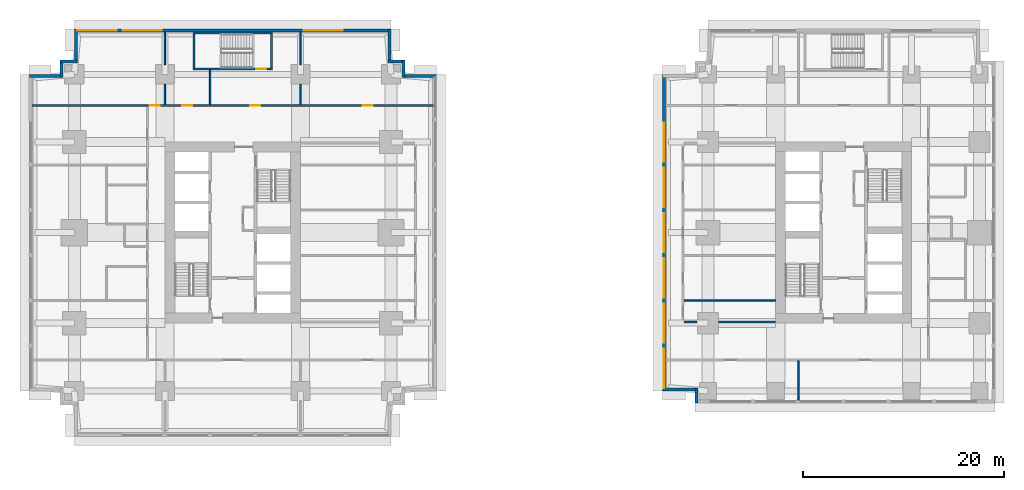
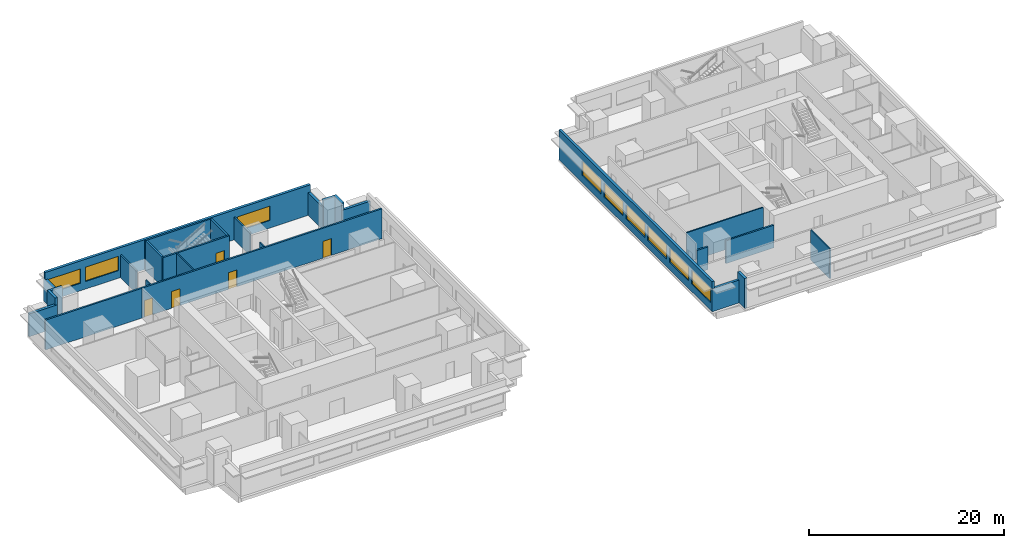
# One storey, part 5 of 11: 27 walls, 9 windows, 5 doors, 14 openings.
"""IFC4 building model written with IfcOpenShell, lengths in metres."""

from ifc_helpers import new_model, si_unit, direction, frame, frame_2d, origin, place, context, subcontext, project, spatial, rectangle, extrude, material, layer, layer_set, type_object, element, fill, save


model = new_model("IFC4")

# Units and contexts
model_context = context("Model", 3, precision=1e-05, world=origin(), true_north=direction((0.0, 1.0)))
body_context = subcontext(model_context, "Body", "Model", "MODEL_VIEW")
ifc_project = project(units=[si_unit("LENGTHUNIT", "METRE"), si_unit("AREAUNIT", "SQUARE_METRE"), si_unit("VOLUMEUNIT", "CUBIC_METRE"), si_unit("PLANEANGLEUNIT", "RADIAN"), si_unit("MASSUNIT", "GRAM", prefix="KILO")], contexts=[model_context])

# Site, building, storey
site_placement = place(None, origin())
site = spatial("IfcSite", under=ifc_project, at=site_placement, CompositionType="ELEMENT")
building_placement = place(site_placement, origin())
building = spatial("IfcBuilding", under=site, at=building_placement, Name="Namib Vertical Campus", CompositionType="ELEMENT")
storey_placement = place(building_placement, frame((0.0, 0.0, 89.0)))
storey = spatial("IfcBuildingStorey", under=building, at=storey_placement, Name="L20", CompositionType="ELEMENT", Elevation=89.0)

# Wall, openings, doors
ifc_material_1 = material(Name="Concrete masonry", Category="masonry")
ifc_layer_1 = layer(ifc_material_1, 0.199951171875)
ifc_layer_set_1 = layer_set([ifc_layer_1], Name="Corridor wall 200")
wall_type_1 = type_object("IfcWallType", Name="Corridor wall 200", PredefinedType="SOLIDWALL", material=ifc_layer_set_1)
wall_1_placement = place(storey_placement, frame((40.199951171875, 32.89990234375, 0.0), z_axis=(0.0, 0.0, 1.0), x_axis=(-1.0, 0.0, 0.0)))
wall_1 = element("IfcWall", 1, at=wall_1_placement, inside=storey, type_object=wall_type_1, Name="Corridor wall A L20 CN", PredefinedType="SOLIDWALL", context=body_context, shape_type="SweptSolid", body=[
    extrude(rectangle(XDim=28.5, YDim=0.199951171875, at=frame_2d((14.25, 0.0))), origin(), (0.0, 0.0, 1.0), 3.75),
])
opening_1_placement = place(wall_1_placement, frame((27.199951171875, 0.0, 0.0)))
opening_1 = element("IfcOpeningElement", 2, at=opening_1_placement, cuts=wall_1, Name="Opening CD1", PredefinedType="OPENING", context=body_context, shape_type="SweptSolid", body=[
    extrude(rectangle(XDim=1.0, YDim=2.10009765625, at=frame_2d((0.5, 1.050048828125))), frame((0.0, 0.10986328125, 0.0), z_axis=(0.0, -1.0, 0.0), x_axis=(1.0, 0.0, 0.0)), (0.0, 0.0, 1.0), 0.219970703125),
])
opening_2_placement = place(wall_1_placement, frame((23.949951171875, 0.0, 0.0)))
opening_2 = element("IfcOpeningElement", 3, at=opening_2_placement, cuts=wall_1, Name="Opening CD1", PredefinedType="OPENING", context=body_context, shape_type="SweptSolid", body=[
    extrude(rectangle(XDim=1.0, YDim=2.10009765625, at=frame_2d((0.5, 1.050048828125))), frame((0.0, 0.10986328125, 0.0), z_axis=(0.0, -1.0, 0.0), x_axis=(1.0, 0.0, 0.0)), (0.0, 0.0, 1.0), 0.219970703125),
])
opening_3_placement = place(wall_1_placement, frame((17.199951171875, 0.0, 0.0)))
opening_3 = element("IfcOpeningElement", 4, at=opening_3_placement, cuts=wall_1, Name="Opening CD1", PredefinedType="OPENING", context=body_context, shape_type="SweptSolid", body=[
    extrude(rectangle(XDim=1.0, YDim=2.10009765625, at=frame_2d((0.5, 1.050048828125))), frame((0.0, 0.10986328125, 0.0), z_axis=(0.0, -1.0, 0.0), x_axis=(1.0, 0.0, 0.0)), (0.0, 0.0, 1.0), 0.219970703125),
])
opening_4_placement = place(wall_1_placement, frame((6.0, 0.0, 0.0)))
opening_4 = element("IfcOpeningElement", 5, at=opening_4_placement, cuts=wall_1, Name="Opening CD1", PredefinedType="OPENING", context=body_context, shape_type="SweptSolid", body=[
    extrude(rectangle(XDim=1.0, YDim=2.10009765625, at=frame_2d((0.5, 1.050048828125))), frame((0.0, 0.10986328125, 0.0), z_axis=(0.0, -1.0, 0.0), x_axis=(1.0, 0.0, 0.0)), (0.0, 0.0, 1.0), 0.219970703125),
])
ifc_material_2 = material(Name="Timber fire door leaf", Category="wood")
door_type_1 = type_object("IfcDoorType", Name="Corridor door 1000x2100 20 min", OperationType="SINGLE_SWING_LEFT", PredefinedType="DOOR", material=ifc_material_2)
door_1_placement = place(opening_1_placement, frame((1.0, 0.0, 0.0), z_axis=(0.0, 0.0, 1.0), x_axis=(-1.0, 0.0, 0.0)))
door_1 = element("IfcDoor", 6, at=door_1_placement, inside=storey, type_object=door_type_1, Name="Door CD1 A20-09", OperationType="SINGLE_SWING_RIGHT", OverallHeight=2.10009765625, OverallWidth=1.0, PredefinedType="DOOR", context=body_context, shape_type="SweptSolid", body=[
    extrude(rectangle(XDim=1.0, YDim=2.10009765625, at=frame_2d((0.5, 1.050048828125))), frame((0.0, 0.02490234375, 0.0), z_axis=(0.0, -1.0, 0.0), x_axis=(1.0, 0.0, 0.0)), (0.0, 0.0, 1.0), 0.050048828125),
])
fill(opening_1, door_1)
door_2_placement = place(opening_2_placement, frame((1.0, 0.0, 0.0), z_axis=(0.0, 0.0, 1.0), x_axis=(-1.0, 0.0, 0.0)))
door_2 = element("IfcDoor", 7, at=door_2_placement, inside=storey, type_object=door_type_1, Name="Door CD1 A20-10", OperationType="SINGLE_SWING_RIGHT", OverallHeight=2.10009765625, OverallWidth=1.0, PredefinedType="DOOR", context=body_context, shape_type="SweptSolid", body=[
    extrude(rectangle(XDim=1.0, YDim=2.10009765625, at=frame_2d((0.5, 1.050048828125))), frame((0.0, 0.02490234375, 0.0), z_axis=(0.0, -1.0, 0.0), x_axis=(1.0, 0.0, 0.0)), (0.0, 0.0, 1.0), 0.050048828125),
])
fill(opening_2, door_2)
door_3_placement = place(opening_3_placement, frame((1.0, 0.0, 0.0), z_axis=(0.0, 0.0, 1.0), x_axis=(-1.0, 0.0, 0.0)))
door_3 = element("IfcDoor", 8, at=door_3_placement, inside=storey, type_object=door_type_1, Name="Door CD1 A20-11", OperationType="SINGLE_SWING_RIGHT", OverallHeight=2.10009765625, OverallWidth=1.0, PredefinedType="DOOR", context=body_context, shape_type="SweptSolid", body=[
    extrude(rectangle(XDim=1.0, YDim=2.10009765625, at=frame_2d((0.5, 1.050048828125))), frame((0.0, 0.02490234375, 0.0), z_axis=(0.0, -1.0, 0.0), x_axis=(1.0, 0.0, 0.0)), (0.0, 0.0, 1.0), 0.050048828125),
])
fill(opening_3, door_3)
door_4_placement = place(opening_4_placement, frame((1.0, 0.0, 0.0), z_axis=(0.0, 0.0, 1.0), x_axis=(-1.0, 0.0, 0.0)))
door_4 = element("IfcDoor", 9, at=door_4_placement, inside=storey, type_object=door_type_1, Name="Door CD1 A20-12", OperationType="SINGLE_SWING_LEFT", OverallHeight=2.10009765625, OverallWidth=1.0, PredefinedType="DOOR", context=body_context, shape_type="SweptSolid", body=[
    extrude(rectangle(XDim=1.0, YDim=2.10009765625, at=frame_2d((0.5, 1.050048828125))), frame((0.0, 0.02490234375, 0.0), z_axis=(0.0, -1.0, 0.0), x_axis=(1.0, 0.0, 0.0)), (0.0, 0.0, 1.0), 0.050048828125),
])
fill(opening_4, door_4)

# Walls
wall_2_placement = place(storey_placement, frame((0.300048828125, 32.89990234375, 0.0), z_axis=(0.0, 0.0, 1.0), x_axis=(1.0, 0.0, 0.0)))
element("IfcWall", 10, at=wall_2_placement, inside=storey, type_object=wall_type_1, Name="Partition A L20 BNW", PredefinedType="SOLIDWALL", context=body_context, shape_type="SweptSolid", body=[
    extrude(rectangle(XDim=11.39990234375, YDim=0.199951171875, at=frame_2d((5.699951171875, 0.0))), origin(), (0.0, 0.0, 1.0), 3.75),
])
wall_3_placement = place(storey_placement, frame((65.14990234375, 11.35009765625, 0.0), z_axis=(0.0, 0.0, 1.0), x_axis=(1.0, 0.0, 0.0)))
element("IfcWall", 11, at=wall_3_placement, inside=storey, type_object=wall_type_1, Name="Corridor wall B L20 GS", PredefinedType="SOLIDWALL", context=body_context, shape_type="SweptSolid", body=[
    extrude(rectangle(XDim=1.280029296875, YDim=0.199951171875, at=frame_2d((0.64013671875, 0.0))), origin(), (0.0, 0.0, 1.0), 2.85009765625),
])
wall_4_placement = place(storey_placement, frame((68.570068359375, 11.35009765625, 0.0), z_axis=(0.0, 0.0, 1.0), x_axis=(1.0, 0.0, 0.0)))
element("IfcWall", 12, at=wall_4_placement, inside=storey, type_object=wall_type_1, Name="Corridor wall B L20 GS", PredefinedType="SOLIDWALL", context=body_context, shape_type="SweptSolid", body=[
    extrude(rectangle(XDim=5.679931640625, YDim=0.199951171875, at=frame_2d((2.83984375, 0.0))), origin(), (0.0, 0.0, 1.0), 2.85009765625),
])
ifc_material_3 = material(Name="Concrete C40/50", Category="concrete")
ifc_layer_2 = layer(ifc_material_3, 0.300048828125)
ifc_layer_set_2 = layer_set([ifc_layer_2], Name="Concrete C40/50")
wall_type_2 = type_object("IfcWallType", Name="External wall 300 board-marked concrete", PredefinedType="STANDARD", material=ifc_layer_set_2)
wall_5_placement = place(storey_placement, frame((40.47998046875, 35.85009765625, 0.0), z_axis=(0.0, 0.0, 1.0), x_axis=(-1.0, 0.0, 0.0)))
element("IfcWall", 13, at=wall_5_placement, inside=storey, type_object=wall_type_2, Name="External wall L20 F07", PredefinedType="STANDARD", context=body_context, shape_type="SweptSolid", body=[
    extrude(rectangle(XDim=3.35986328125, YDim=0.300048828125, at=frame_2d((1.679931640625, 0.0))), origin(), (0.0, 0.0, 1.0), 2.85009765625),
])
for number, where, z_axis, x_axis, name in (
    (14, (37.25, 35.719970703125, 0.0), (0.0, 0.0, 1.0), (0.0, 1.0, 0.0), "External wall L20 F08"),
    (15, (37.3798828125, 37.25, 0.0), (0.0, 0.0, 1.0), (-1.0, 0.0, 0.0), "External wall L20 F09"),
):
    element("IfcWall", number, at=place(storey_placement, frame(where, z_axis=z_axis, x_axis=x_axis)), inside=storey, type_object=wall_type_2, Name=name, PredefinedType="STANDARD", context=body_context, shape_type="SweptSolid", body=[
        extrude(rectangle(XDim=1.659912109375, YDim=0.300048828125, at=frame_2d((0.830078125, 0.0))), origin(), (0.0, 0.0, 1.0), 3.75),
    ])
wall_6_placement = place(storey_placement, frame((35.85009765625, 37.1201171875, 0.0), z_axis=(0.0, 0.0, 1.0), x_axis=(0.0, 1.0, 0.0)))
element("IfcWall", 16, at=wall_6_placement, inside=storey, type_object=wall_type_2, Name="External wall L20 F10", PredefinedType="STANDARD", context=body_context, shape_type="SweptSolid", body=[
    extrude(rectangle(XDim=3.35986328125, YDim=0.300048828125, at=frame_2d((1.679931640625, 0.0))), origin(), (0.0, 0.0, 1.0), 2.85009765625),
])

# Wall, openings, windows
wall_7_placement = place(storey_placement, frame((35.97998046875, 40.35009765625, 0.0), z_axis=(0.0, 0.0, 1.0), x_axis=(-1.0, 0.0, 0.0)))
wall_7 = element("IfcWall", 17, at=wall_7_placement, inside=storey, type_object=wall_type_2, Name="External wall L20 F11", PredefinedType="STANDARD", context=body_context, shape_type="SweptSolid", body=[
    extrude(rectangle(XDim=31.4599609375, YDim=0.300048828125, at=frame_2d((15.72998046875, 0.0))), origin(), (0.0, 0.0, 1.0), 3.75),
])
opening_5_placement = place(wall_7_placement, frame((27.280029296875, 0.0, 0.949951171875)))
opening_5 = element("IfcOpeningElement", 18, at=opening_5_placement, cuts=wall_7, Name="Opening W3", PredefinedType="OPENING", context=body_context, shape_type="SweptSolid", body=[
    extrude(rectangle(XDim=3.89990234375, YDim=1.800048828125, at=frame_2d((1.949951171875, 0.89990234375))), frame((0.0, 0.159912109375, 0.0), z_axis=(0.0, -1.0, 0.0), x_axis=(1.0, 0.0, 0.0)), (0.0, 0.0, 1.0), 0.320068359375),
])
opening_6_placement = place(wall_7_placement, frame((22.780029296875, 0.0, 0.949951171875)))
opening_6 = element("IfcOpeningElement", 19, at=opening_6_placement, cuts=wall_7, Name="Opening W3", PredefinedType="OPENING", context=body_context, shape_type="SweptSolid", body=[
    extrude(rectangle(XDim=3.89990234375, YDim=1.800048828125, at=frame_2d((1.949951171875, 0.89990234375))), frame((0.0, 0.159912109375, 0.0), z_axis=(0.0, -1.0, 0.0), x_axis=(1.0, 0.0, 0.0)), (0.0, 0.0, 1.0), 0.320068359375),
])
opening_7_placement = place(wall_7_placement, frame((4.780029296875, 0.0, 0.949951171875)))
opening_7 = element("IfcOpeningElement", 20, at=opening_7_placement, cuts=wall_7, Name="Opening W3", PredefinedType="OPENING", context=body_context, shape_type="SweptSolid", body=[
    extrude(rectangle(XDim=3.89990234375, YDim=1.800048828125, at=frame_2d((1.949951171875, 0.89990234375))), frame((0.0, 0.159912109375, 0.0), z_axis=(0.0, -1.0, 0.0), x_axis=(1.0, 0.0, 0.0)), (0.0, 0.0, 1.0), 0.320068359375),
])
ifc_material_4 = material(Name="Dark tinted glass in black aluminium frame", Category="aluminium")
window_type = type_object("IfcWindowType", Name="Ribbon window 3900x1800", PartitioningType="SINGLE_PANEL", PredefinedType="WINDOW", material=ifc_material_4)
window_1_placement = place(opening_5_placement, origin())
window_1 = element("IfcWindow", 21, at=window_1_placement, inside=storey, type_object=window_type, Name="Window W3 L20 F11-1", OverallHeight=1.800048828125, OverallWidth=3.89990234375, PartitioningType="SINGLE_PANEL", PredefinedType="WINDOW", context=body_context, shape_type="SweptSolid", body=[
    extrude(rectangle(XDim=3.89990234375, YDim=1.800048828125, at=frame_2d((1.949951171875, 0.89990234375))), frame((0.0, 0.030029296875, 0.0), z_axis=(0.0, -1.0, 0.0), x_axis=(1.0, 0.0, 0.0)), (0.0, 0.0, 1.0), 0.06005859375),
])
fill(opening_5, window_1)
window_2_placement = place(opening_6_placement, origin())
window_2 = element("IfcWindow", 22, at=window_2_placement, inside=storey, type_object=window_type, Name="Window W3 L20 F11-2", OverallHeight=1.800048828125, OverallWidth=3.89990234375, PartitioningType="SINGLE_PANEL", PredefinedType="WINDOW", context=body_context, shape_type="SweptSolid", body=[
    extrude(rectangle(XDim=3.89990234375, YDim=1.800048828125, at=frame_2d((1.949951171875, 0.89990234375))), frame((0.0, 0.030029296875, 0.0), z_axis=(0.0, -1.0, 0.0), x_axis=(1.0, 0.0, 0.0)), (0.0, 0.0, 1.0), 0.06005859375),
])
fill(opening_6, window_2)
window_3_placement = place(opening_7_placement, origin())
window_3 = element("IfcWindow", 23, at=window_3_placement, inside=storey, type_object=window_type, Name="Window W3 L20 F11-6", OverallHeight=1.800048828125, OverallWidth=3.89990234375, PartitioningType="SINGLE_PANEL", PredefinedType="WINDOW", context=body_context, shape_type="SweptSolid", body=[
    extrude(rectangle(XDim=3.89990234375, YDim=1.800048828125, at=frame_2d((1.949951171875, 0.89990234375))), frame((0.0, 0.030029296875, 0.0), z_axis=(0.0, -1.0, 0.0), x_axis=(1.0, 0.0, 0.0)), (0.0, 0.0, 1.0), 0.06005859375),
])
fill(opening_7, window_3)

# Walls
wall_8_placement = place(storey_placement, frame((4.64990234375, 40.47998046875, 0.0), z_axis=(0.0, 0.0, 1.0), x_axis=(0.0, -1.0, 0.0)))
element("IfcWall", 24, at=wall_8_placement, inside=storey, type_object=wall_type_2, Name="External wall L20 F12", PredefinedType="STANDARD", context=body_context, shape_type="SweptSolid", body=[
    extrude(rectangle(XDim=3.35986328125, YDim=0.300048828125, at=frame_2d((1.679931640625, 0.0))), origin(), (0.0, 0.0, 1.0), 2.85009765625),
])
for number, where, z_axis, x_axis, name in (
    (25, (4.780029296875, 37.25, 0.0), (0.0, 0.0, 1.0), (-1.0, 0.0, 0.0), "External wall L20 F13"),
    (26, (3.25, 37.3798828125, 0.0), (0.0, 0.0, 1.0), (0.0, -1.0, 0.0), "External wall L20 F14"),
):
    element("IfcWall", number, at=place(storey_placement, frame(where, z_axis=z_axis, x_axis=x_axis)), inside=storey, type_object=wall_type_2, Name=name, PredefinedType="STANDARD", context=body_context, shape_type="SweptSolid", body=[
        extrude(rectangle(XDim=1.659912109375, YDim=0.300048828125, at=frame_2d((0.830078125, 0.0))), origin(), (0.0, 0.0, 1.0), 3.75),
    ])
wall_9_placement = place(storey_placement, frame((3.3798828125, 35.85009765625, 0.0), z_axis=(0.0, 0.0, 1.0), x_axis=(-1.0, 0.0, 0.0)))
element("IfcWall", 27, at=wall_9_placement, inside=storey, type_object=wall_type_2, Name="External wall L20 F15", PredefinedType="STANDARD", context=body_context, shape_type="SweptSolid", body=[
    extrude(rectangle(XDim=3.35986328125, YDim=0.300048828125, at=frame_2d((1.679931640625, 0.0))), origin(), (0.0, 0.0, 1.0), 2.85009765625),
])
wall_10_placement = place(storey_placement, frame((63.02001953125, 4.64990234375, 0.0), z_axis=(0.0, 0.0, 1.0), x_axis=(1.0, 0.0, 0.0)))
element("IfcWall", 28, at=wall_10_placement, inside=storey, type_object=wall_type_2, Name="External wall L20 F01", PredefinedType="STANDARD", context=body_context, shape_type="SweptSolid", body=[
    extrude(rectangle(XDim=3.4599609375, YDim=0.300048828125, at=frame_2d((1.72998046875, 0.0))), origin(), (0.0, 0.0, 1.0), 2.85009765625),
])
wall_11_placement = place(storey_placement, frame((66.35009765625, 4.780029296875, 0.0), z_axis=(0.0, 0.0, 1.0), x_axis=(0.0, -1.0, 0.0)))
element("IfcWall", 29, at=wall_11_placement, inside=storey, type_object=wall_type_2, Name="External wall L20 F02", PredefinedType="STANDARD", context=body_context, shape_type="SweptSolid", body=[
    extrude(rectangle(XDim=1.4599609375, YDim=0.300048828125, at=frame_2d((0.72998046875, 0.0))), origin(), (0.0, 0.0, 1.0), 3.75),
])

# Wall, openings, windows
wall_12_placement = place(storey_placement, frame((63.14990234375, 35.97998046875, 0.0), z_axis=(0.0, 0.0, 1.0), x_axis=(0.0, -1.0, 0.0)))
wall_12 = element("IfcWall", 30, at=wall_12_placement, inside=storey, type_object=wall_type_2, Name="External wall L20 F12", PredefinedType="STANDARD", context=body_context, shape_type="SweptSolid", body=[
    extrude(rectangle(XDim=31.4599609375, YDim=0.300048828125, at=frame_2d((15.72998046875, 0.0))), origin(), (0.0, 0.0, 1.0), 3.75),
])
opening_8_placement = place(wall_12_placement, frame((27.280029296875, 0.0, 0.949951171875)))
opening_8 = element("IfcOpeningElement", 31, at=opening_8_placement, cuts=wall_12, Name="Opening W3", PredefinedType="OPENING", context=body_context, shape_type="SweptSolid", body=[
    extrude(rectangle(XDim=3.89990234375, YDim=1.800048828125, at=frame_2d((1.949951171875, 0.89990234375))), frame((0.0, 0.159912109375, 0.0), z_axis=(0.0, -1.0, 0.0), x_axis=(1.0, 0.0, 0.0)), (0.0, 0.0, 1.0), 0.320068359375),
])
opening_9_placement = place(wall_12_placement, frame((22.780029296875, 0.0, 0.949951171875)))
opening_9 = element("IfcOpeningElement", 32, at=opening_9_placement, cuts=wall_12, Name="Opening W3", PredefinedType="OPENING", context=body_context, shape_type="SweptSolid", body=[
    extrude(rectangle(XDim=3.89990234375, YDim=1.800048828125, at=frame_2d((1.949951171875, 0.89990234375))), frame((0.0, 0.159912109375, 0.0), z_axis=(0.0, -1.0, 0.0), x_axis=(1.0, 0.0, 0.0)), (0.0, 0.0, 1.0), 0.320068359375),
])
opening_10_placement = place(wall_12_placement, frame((18.280029296875, 0.0, 0.949951171875)))
opening_10 = element("IfcOpeningElement", 33, at=opening_10_placement, cuts=wall_12, Name="Opening W3", PredefinedType="OPENING", context=body_context, shape_type="SweptSolid", body=[
    extrude(rectangle(XDim=3.89990234375, YDim=1.800048828125, at=frame_2d((1.949951171875, 0.89990234375))), frame((0.0, 0.159912109375, 0.0), z_axis=(0.0, -1.0, 0.0), x_axis=(1.0, 0.0, 0.0)), (0.0, 0.0, 1.0), 0.320068359375),
])
opening_11_placement = place(wall_12_placement, frame((13.780029296875, 0.0, 0.949951171875)))
opening_11 = element("IfcOpeningElement", 34, at=opening_11_placement, cuts=wall_12, Name="Opening W3", PredefinedType="OPENING", context=body_context, shape_type="SweptSolid", body=[
    extrude(rectangle(XDim=3.89990234375, YDim=1.800048828125, at=frame_2d((1.949951171875, 0.89990234375))), frame((0.0, 0.159912109375, 0.0), z_axis=(0.0, -1.0, 0.0), x_axis=(1.0, 0.0, 0.0)), (0.0, 0.0, 1.0), 0.320068359375),
])
opening_12_placement = place(wall_12_placement, frame((9.280029296875, 0.0, 0.949951171875)))
opening_12 = element("IfcOpeningElement", 35, at=opening_12_placement, cuts=wall_12, Name="Opening W3", PredefinedType="OPENING", context=body_context, shape_type="SweptSolid", body=[
    extrude(rectangle(XDim=3.89990234375, YDim=1.800048828125, at=frame_2d((1.949951171875, 0.89990234375))), frame((0.0, 0.159912109375, 0.0), z_axis=(0.0, -1.0, 0.0), x_axis=(1.0, 0.0, 0.0)), (0.0, 0.0, 1.0), 0.320068359375),
])
opening_13_placement = place(wall_12_placement, frame((4.780029296875, 0.0, 0.949951171875)))
opening_13 = element("IfcOpeningElement", 36, at=opening_13_placement, cuts=wall_12, Name="Opening W3", PredefinedType="OPENING", context=body_context, shape_type="SweptSolid", body=[
    extrude(rectangle(XDim=3.89990234375, YDim=1.800048828125, at=frame_2d((1.949951171875, 0.89990234375))), frame((0.0, 0.159912109375, 0.0), z_axis=(0.0, -1.0, 0.0), x_axis=(1.0, 0.0, 0.0)), (0.0, 0.0, 1.0), 0.320068359375),
])
window_4_placement = place(opening_8_placement, origin())
window_4 = element("IfcWindow", 37, at=window_4_placement, inside=storey, type_object=window_type, Name="Window W3 L20 F12-1", OverallHeight=1.800048828125, OverallWidth=3.89990234375, PartitioningType="SINGLE_PANEL", PredefinedType="WINDOW", context=body_context, shape_type="SweptSolid", body=[
    extrude(rectangle(XDim=3.89990234375, YDim=1.800048828125, at=frame_2d((1.949951171875, 0.89990234375))), frame((0.0, 0.030029296875, 0.0), z_axis=(0.0, -1.0, 0.0), x_axis=(1.0, 0.0, 0.0)), (0.0, 0.0, 1.0), 0.06005859375),
])
fill(opening_8, window_4)
window_5_placement = place(opening_9_placement, origin())
window_5 = element("IfcWindow", 38, at=window_5_placement, inside=storey, type_object=window_type, Name="Window W3 L20 F12-2", OverallHeight=1.800048828125, OverallWidth=3.89990234375, PartitioningType="SINGLE_PANEL", PredefinedType="WINDOW", context=body_context, shape_type="SweptSolid", body=[
    extrude(rectangle(XDim=3.89990234375, YDim=1.800048828125, at=frame_2d((1.949951171875, 0.89990234375))), frame((0.0, 0.030029296875, 0.0), z_axis=(0.0, -1.0, 0.0), x_axis=(1.0, 0.0, 0.0)), (0.0, 0.0, 1.0), 0.06005859375),
])
fill(opening_9, window_5)
window_6_placement = place(opening_10_placement, origin())
window_6 = element("IfcWindow", 39, at=window_6_placement, inside=storey, type_object=window_type, Name="Window W3 L20 F12-3", OverallHeight=1.800048828125, OverallWidth=3.89990234375, PartitioningType="SINGLE_PANEL", PredefinedType="WINDOW", context=body_context, shape_type="SweptSolid", body=[
    extrude(rectangle(XDim=3.89990234375, YDim=1.800048828125, at=frame_2d((1.949951171875, 0.89990234375))), frame((0.0, 0.030029296875, 0.0), z_axis=(0.0, -1.0, 0.0), x_axis=(1.0, 0.0, 0.0)), (0.0, 0.0, 1.0), 0.06005859375),
])
fill(opening_10, window_6)
window_7_placement = place(opening_11_placement, origin())
window_7 = element("IfcWindow", 40, at=window_7_placement, inside=storey, type_object=window_type, Name="Window W3 L20 F12-4", OverallHeight=1.800048828125, OverallWidth=3.89990234375, PartitioningType="SINGLE_PANEL", PredefinedType="WINDOW", context=body_context, shape_type="SweptSolid", body=[
    extrude(rectangle(XDim=3.89990234375, YDim=1.800048828125, at=frame_2d((1.949951171875, 0.89990234375))), frame((0.0, 0.030029296875, 0.0), z_axis=(0.0, -1.0, 0.0), x_axis=(1.0, 0.0, 0.0)), (0.0, 0.0, 1.0), 0.06005859375),
])
fill(opening_11, window_7)
window_8_placement = place(opening_12_placement, origin())
window_8 = element("IfcWindow", 41, at=window_8_placement, inside=storey, type_object=window_type, Name="Window W3 L20 F12-5", OverallHeight=1.800048828125, OverallWidth=3.89990234375, PartitioningType="SINGLE_PANEL", PredefinedType="WINDOW", context=body_context, shape_type="SweptSolid", body=[
    extrude(rectangle(XDim=3.89990234375, YDim=1.800048828125, at=frame_2d((1.949951171875, 0.89990234375))), frame((0.0, 0.030029296875, 0.0), z_axis=(0.0, -1.0, 0.0), x_axis=(1.0, 0.0, 0.0)), (0.0, 0.0, 1.0), 0.06005859375),
])
fill(opening_12, window_8)
window_9_placement = place(opening_13_placement, origin())
window_9 = element("IfcWindow", 42, at=window_9_placement, inside=storey, type_object=window_type, Name="Window W3 L20 F12-6", OverallHeight=1.800048828125, OverallWidth=3.89990234375, PartitioningType="SINGLE_PANEL", PredefinedType="WINDOW", context=body_context, shape_type="SweptSolid", body=[
    extrude(rectangle(XDim=3.89990234375, YDim=1.800048828125, at=frame_2d((1.949951171875, 0.89990234375))), frame((0.0, 0.030029296875, 0.0), z_axis=(0.0, -1.0, 0.0), x_axis=(1.0, 0.0, 0.0)), (0.0, 0.0, 1.0), 0.06005859375),
])
fill(opening_13, window_9)

# Walls
ifc_material_5 = material(Name="Gypsum board on steel studs", Category="steel")
ifc_layer_3 = layer(ifc_material_5, 0.14990234375)
ifc_layer_set_3 = layer_set([ifc_layer_3], Name="Gypsum board on steel studs")
wall_type_3 = type_object("IfcWallType", Name="Partition 150", PredefinedType="PARTITIONING", material=ifc_layer_set_3)
wall_13_placement = place(storey_placement, frame((13.5, 33.0, 0.0), z_axis=(0.0, 0.0, 1.0), x_axis=(0.0, 1.0, 0.0)))
element("IfcWall", 43, at=wall_13_placement, inside=storey, type_object=wall_type_3, Name="Partition A L20 PN1", PredefinedType="PARTITIONING", context=body_context, shape_type="SweptSolid", body=[
    extrude(rectangle(XDim=2.030029296875, YDim=0.14990234375, at=frame_2d((1.01513671875, 0.0))), origin(), (0.0, 0.0, 1.0), 2.85009765625),
])
wall_14_placement = place(storey_placement, frame((13.5, 36.969970703125, 0.0), z_axis=(0.0, 0.0, 1.0), x_axis=(0.0, 1.0, 0.0)))
element("IfcWall", 44, at=wall_14_placement, inside=storey, type_object=wall_type_3, Name="Partition A L20 PN1", PredefinedType="PARTITIONING", context=body_context, shape_type="SweptSolid", body=[
    extrude(rectangle(XDim=3.22998046875, YDim=0.14990234375, at=frame_2d((1.614990234375, 0.0))), origin(), (0.0, 0.0, 1.0), 2.85009765625),
])
wall_15_placement = place(storey_placement, frame((18.0, 33.0, 0.0), z_axis=(0.0, 0.0, 1.0), x_axis=(0.0, 1.0, 0.0)))
element("IfcWall", 45, at=wall_15_placement, inside=storey, type_object=wall_type_3, Name="Partition A L20 PN2", PredefinedType="PARTITIONING", context=body_context, shape_type="SweptSolid", body=[
    extrude(rectangle(XDim=3.449951171875, YDim=0.14990234375, at=frame_2d((1.72509765625, 0.0))), origin(), (0.0, 0.0, 1.0), 3.75),
])
wall_16_placement = place(storey_placement, frame((27.0, 33.0, 0.0), z_axis=(0.0, 0.0, 1.0), x_axis=(0.0, 1.0, 0.0)))
element("IfcWall", 46, at=wall_16_placement, inside=storey, type_object=wall_type_3, Name="Partition A L20 PN3", PredefinedType="PARTITIONING", context=body_context, shape_type="SweptSolid", body=[
    extrude(rectangle(XDim=2.030029296875, YDim=0.14990234375, at=frame_2d((1.01513671875, 0.0))), origin(), (0.0, 0.0, 1.0), 2.85009765625),
])
wall_17_placement = place(storey_placement, frame((27.0, 36.969970703125, 0.0), z_axis=(0.0, 0.0, 1.0), x_axis=(0.0, 1.0, 0.0)))
element("IfcWall", 47, at=wall_17_placement, inside=storey, type_object=wall_type_3, Name="Partition A L20 PN3", PredefinedType="PARTITIONING", context=body_context, shape_type="SweptSolid", body=[
    extrude(rectangle(XDim=3.22998046875, YDim=0.14990234375, at=frame_2d((1.614990234375, 0.0))), origin(), (0.0, 0.0, 1.0), 2.85009765625),
])
wall_18_placement = place(storey_placement, frame((76.5, 3.60009765625, 0.0), z_axis=(0.0, 0.0, 1.0), x_axis=(0.0, 1.0, 0.0)))
element("IfcWall", 48, at=wall_18_placement, inside=storey, type_object=wall_type_3, Name="Partition B L20 PS1", PredefinedType="PARTITIONING", context=body_context, shape_type="SweptSolid", body=[
    extrude(rectangle(XDim=3.89990234375, YDim=0.14990234375, at=frame_2d((1.949951171875, 0.0))), origin(), (0.0, 0.0, 1.0), 3.75),
])
wall_19_placement = place(storey_placement, frame((65.14990234375, 13.5, 0.0), z_axis=(0.0, 0.0, 1.0), x_axis=(1.0, 0.0, 0.0)))
element("IfcWall", 49, at=wall_19_placement, inside=storey, type_object=wall_type_3, Name="Partition B L20 PW1", PredefinedType="PARTITIONING", context=body_context, shape_type="SweptSolid", body=[
    extrude(rectangle(XDim=9.10009765625, YDim=0.14990234375, at=frame_2d((4.550048828125, 0.0))), origin(), (0.0, 0.0, 1.0), 3.75),
])

# Wall, opening, door
ifc_material_6 = material(Name="Concrete C40/50", Category="concrete")
ifc_layer_4 = layer(ifc_material_6, 0.199951171875)
ifc_layer_set_4 = layer_set([ifc_layer_4], Name="Concrete C40/50")
wall_type_4 = type_object("IfcWallType", Name="Stair enclosure wall RC 200", PredefinedType="SOLIDWALL", material=ifc_layer_set_4)
wall_20_placement = place(storey_placement, frame((16.300048828125, 36.550048828125, 0.0), z_axis=(0.0, 0.0, 1.0), x_axis=(1.0, 0.0, 0.0)))
wall_20 = element("IfcWall", 50, at=wall_20_placement, inside=storey, type_object=wall_type_4, Name="Stair enclosure wall A-S3 L20 S", PredefinedType="SOLIDWALL", context=body_context, shape_type="SweptSolid", body=[
    extrude(rectangle(XDim=7.89990234375, YDim=0.199951171875, at=frame_2d((3.949951171875, 0.0))), origin(), (0.0, 0.0, 1.0), 3.75),
])
opening_14_placement = place(wall_20_placement, frame((6.300048828125, 0.0, 0.0)))
opening_14 = element("IfcOpeningElement", 51, at=opening_14_placement, cuts=wall_20, Name="Opening FD1", PredefinedType="OPENING", context=body_context, shape_type="SweptSolid", body=[
    extrude(rectangle(XDim=1.0, YDim=2.10009765625, at=frame_2d((0.5, 1.050048828125))), frame((0.0, 0.10986328125, 0.0), z_axis=(0.0, -1.0, 0.0), x_axis=(1.0, 0.0, 0.0)), (0.0, 0.0, 1.0), 0.219970703125),
])
ifc_material_7 = material(Name="Steel fire door", Category="steel")
door_type_2 = type_object("IfcDoorType", Name="Fire door 1000x2100", OperationType="SINGLE_SWING_RIGHT", PredefinedType="DOOR", material=ifc_material_7)
door_5_placement = place(opening_14_placement, origin())
door_5 = element("IfcDoor", 52, at=door_5_placement, inside=storey, type_object=door_type_2, Name="Stair door FD1 A L20 S3", OperationType="SINGLE_SWING_RIGHT", OverallHeight=2.10009765625, OverallWidth=1.0, PredefinedType="DOOR", context=body_context, shape_type="SweptSolid", body=[
    extrude(rectangle(XDim=1.0, YDim=2.10009765625, at=frame_2d((0.5, 1.050048828125))), frame((0.0, 0.02490234375, 0.0), z_axis=(0.0, -1.0, 0.0), x_axis=(1.0, 0.0, 0.0)), (0.0, 0.0, 1.0), 0.050048828125),
])
fill(opening_14, door_5)

# Walls
wall_21_placement = place(storey_placement, frame((16.300048828125, 40.10009765625, 0.0), z_axis=(0.0, 0.0, 1.0), x_axis=(1.0, 0.0, 0.0)))
element("IfcWall", 53, at=wall_21_placement, inside=storey, type_object=wall_type_4, Name="Stair enclosure wall A-S3 L20 N", PredefinedType="SOLIDWALL", context=body_context, shape_type="SweptSolid", body=[
    extrude(rectangle(XDim=7.89990234375, YDim=0.199951171875, at=frame_2d((3.949951171875, 0.0))), origin(), (0.0, 0.0, 1.0), 3.75),
])
for number, where, z_axis, x_axis, name in (
    (54, (16.39990234375, 36.64990234375, 0.0), (0.0, 0.0, 1.0), (0.0, 1.0, 0.0), "Stair enclosure wall A-S3 L20 W"),
    (55, (24.10009765625, 36.64990234375, 0.0), (0.0, 0.0, 1.0), (0.0, 1.0, 0.0), "Stair enclosure wall A-S3 L20 E"),
):
    element("IfcWall", number, at=place(storey_placement, frame(where, z_axis=z_axis, x_axis=x_axis)), inside=storey, type_object=wall_type_4, Name=name, PredefinedType="SOLIDWALL", context=body_context, shape_type="SweptSolid", body=[
        extrude(rectangle(XDim=3.35009765625, YDim=0.199951171875, at=frame_2d((1.675048828125, 0.0))), origin(), (0.0, 0.0, 1.0), 3.75),
    ])

save(model, "model.ifc")
